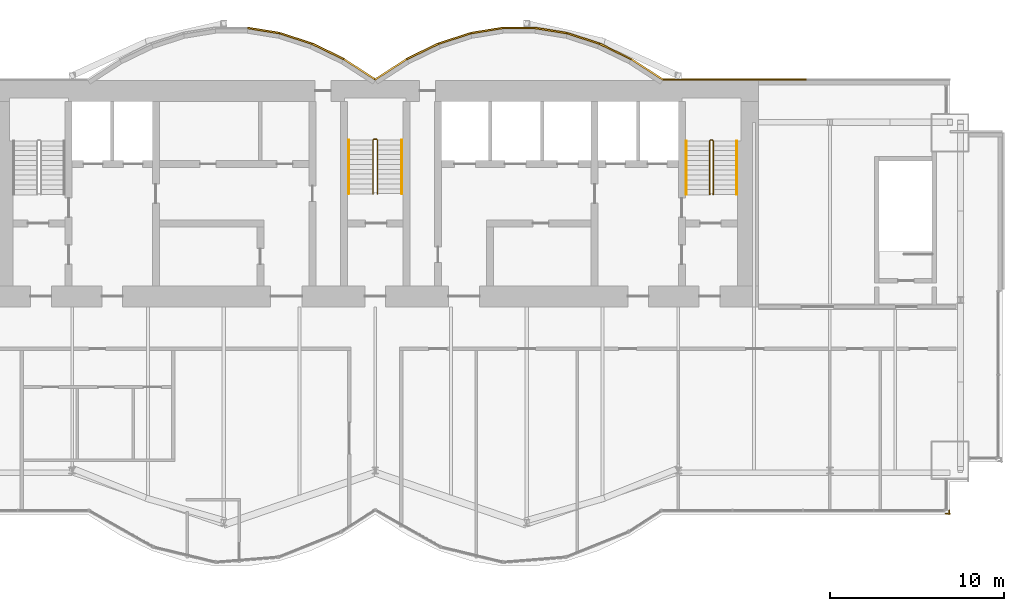
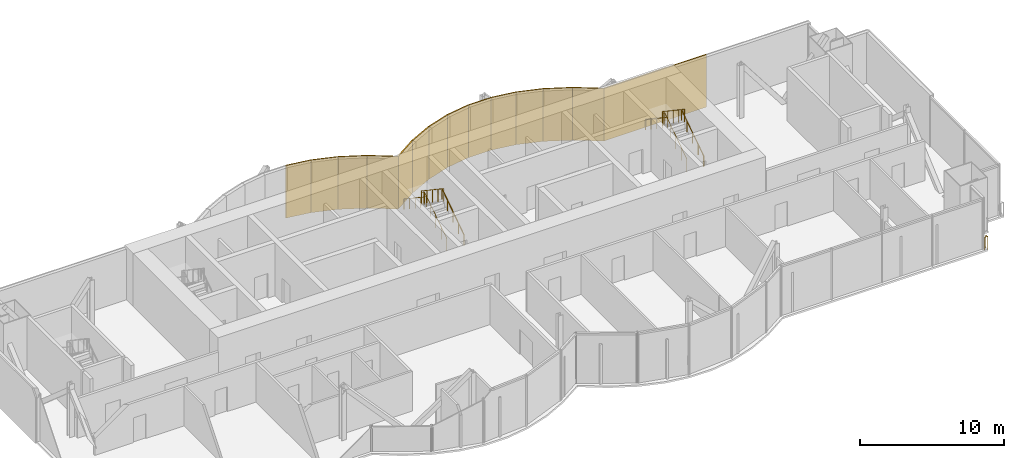
# One storey, part 15 of 16: 14 coverings, 7 railings.
"""IFC4 building model written with IfcOpenShell, lengths in metres."""

from ifc_helpers import new_model, si_unit, direction, frame, origin, origin_2d, place, context, subcontext, project, spatial, rectangle, circle, extrude, material, layer, layer_set, type_object, element, save


model = new_model("IFC4")

# Units and contexts
model_context = context("Model", 3, precision=1e-05, world=origin(), true_north=direction((0.0, 1.0)))
body_context = subcontext(model_context, "Body", "Model", "MODEL_VIEW")
ifc_project = project(units=[si_unit("LENGTHUNIT", "METRE"), si_unit("AREAUNIT", "SQUARE_METRE"), si_unit("VOLUMEUNIT", "CUBIC_METRE"), si_unit("PLANEANGLEUNIT", "RADIAN"), si_unit("MASSUNIT", "GRAM", prefix="KILO")], contexts=[model_context])

# Site, building, storey
site_placement = place(None, origin())
site = spatial("IfcSite", under=ifc_project, at=site_placement, CompositionType="ELEMENT")
building_placement = place(site_placement, origin())
building = spatial("IfcBuilding", under=site, at=building_placement, Name="Bicima Exchange Tower", CompositionType="ELEMENT")
storey_placement = place(building_placement, frame((0.0, 0.0, 338.0)))
storey = spatial("IfcBuildingStorey", under=building, at=storey_placement, Name="L76", CompositionType="ELEMENT", Elevation=338.0)

# Coverings
ifc_material_1 = material(Name="Bronze metal cladding")
ifc_layer_1 = layer(ifc_material_1, 0.004)
ifc_material_2 = material(Name="Ventilated cavity")
ifc_layer_2 = layer(ifc_material_2, 0.06)
ifc_material_3 = material(Name="Galvanised steel rail and mineral wool", Category="steel")
ifc_layer_3 = layer(ifc_material_3, 0.036)
ifc_layer_set = layer_set([ifc_layer_1, ifc_layer_2, ifc_layer_3], Name="Ventilated cavity")
covering_type = type_object("IfcCoveringType", Name="Bronze metal cladding panel 100", PredefinedType="CLADDING", material=ifc_layer_set)
covering_1_placement = place(storey_placement, frame((20.625, 0.050048828125, -0.14990234375), z_axis=(0.0, 0.0, 1.0), x_axis=(-1.0, 0.0, 0.0)))
element("IfcCovering", 1, at=covering_1_placement, inside=storey, type_object=covering_type, Name="Bronze cladding L76 1.2", PredefinedType="CLADDING", context=body_context, shape_type="SweptSolid", body=[
    extrude(rectangle(XDim=8.25, YDim=0.10009765625, at=origin_2d()), origin(), (0.0, 0.0, 1.0), 4.449951171875),
])
covering_2_placement = place(storey_placement, frame((15.610595703125, 0.634521484375, -0.14990234375), z_axis=(0.0, 0.0, 1.0), x_axis=(-0.839790466384, 0.542910648791, 0.0)))
element("IfcCovering", 2, at=covering_2_placement, inside=storey, type_object=covering_type, Name="Bronze cladding L76 2.1", PredefinedType="CLADDING", context=body_context, shape_type="SweptSolid", body=[
    extrude(rectangle(XDim=2.18310546875, YDim=0.10009765625, at=origin_2d()), origin(), (0.0, 0.0, 1.0), 4.449951171875),
])
covering_3_placement = place(storey_placement, frame((13.771728515625, 1.674560546875, -0.14990234375), z_axis=(0.0, 0.0, 1.0), x_axis=(-0.899818346812, 0.436264762204, 0.0)))
element("IfcCovering", 3, at=covering_3_placement, inside=storey, type_object=covering_type, Name="Bronze cladding L76 3.1", PredefinedType="CLADDING", context=body_context, shape_type="SweptSolid", body=[
    extrude(rectangle(XDim=2.03759765625, YDim=0.10009765625, at=origin_2d()), origin(), (0.0, 0.0, 1.0), 4.449951171875),
])
covering_4_placement = place(storey_placement, frame((11.931884765625, 2.41796875, -0.14990234375), z_axis=(0.0, 0.0, 1.0), x_axis=(-0.951524642381, 0.307572519808, 0.0)))
element("IfcCovering", 4, at=covering_4_placement, inside=storey, type_object=covering_type, Name="Bronze cladding L76 4.1", PredefinedType="CLADDING", context=body_context, shape_type="SweptSolid", body=[
    extrude(rectangle(XDim=1.9267578125, YDim=0.10009765625, at=origin_2d()), origin(), (0.0, 0.0, 1.0), 4.449951171875),
])
covering_5_placement = place(storey_placement, frame((10.09130859375, 2.8642578125, -0.14990234375), z_axis=(0.0, 0.0, 1.0), x_axis=(-0.987189786347, 0.159550386184, 0.0)))
element("IfcCovering", 5, at=covering_5_placement, inside=storey, type_object=covering_type, Name="Bronze cladding L76 5.1", PredefinedType="CLADDING", context=body_context, shape_type="SweptSolid", body=[
    extrude(rectangle(XDim=1.857177734375, YDim=0.10009765625, at=origin_2d()), origin(), (0.0, 0.0, 1.0), 4.449951171875),
])
covering_6_placement = place(storey_placement, frame((8.25, 3.012939453125, -0.14990234375), z_axis=(0.0, 0.0, 1.0), x_axis=(-1.0, 0.0, 0.0)))
element("IfcCovering", 6, at=covering_6_placement, inside=storey, type_object=covering_type, Name="Bronze cladding L76 6.1", PredefinedType="CLADDING", context=body_context, shape_type="SweptSolid", body=[
    extrude(rectangle(XDim=1.83349609375, YDim=0.10009765625, at=origin_2d()), origin(), (0.0, 0.0, 1.0), 4.449951171875),
])
covering_7_placement = place(storey_placement, frame((6.40869140625, 2.8642578125, -0.14990234375), z_axis=(0.0, 0.0, 1.0), x_axis=(-0.987189786347, -0.159550386184, 0.0)))
element("IfcCovering", 7, at=covering_7_placement, inside=storey, type_object=covering_type, Name="Bronze cladding L76 7.1", PredefinedType="CLADDING", context=body_context, shape_type="SweptSolid", body=[
    extrude(rectangle(XDim=1.857177734375, YDim=0.10009765625, at=origin_2d()), origin(), (0.0, 0.0, 1.0), 4.449951171875),
])
covering_8_placement = place(storey_placement, frame((4.568115234375, 2.41796875, -0.14990234375), z_axis=(0.0, 0.0, 1.0), x_axis=(-0.951524642381, -0.307572519808, 0.0)))
element("IfcCovering", 8, at=covering_8_placement, inside=storey, type_object=covering_type, Name="Bronze cladding L76 8.1", PredefinedType="CLADDING", context=body_context, shape_type="SweptSolid", body=[
    extrude(rectangle(XDim=1.9267578125, YDim=0.10009765625, at=origin_2d()), origin(), (0.0, 0.0, 1.0), 4.449951171875),
])
covering_9_placement = place(storey_placement, frame((2.728271484375, 1.674560546875, -0.14990234375), z_axis=(0.0, 0.0, 1.0), x_axis=(-0.899818346812, -0.436264762204, 0.0)))
element("IfcCovering", 9, at=covering_9_placement, inside=storey, type_object=covering_type, Name="Bronze cladding L76 9.1", PredefinedType="CLADDING", context=body_context, shape_type="SweptSolid", body=[
    extrude(rectangle(XDim=2.03759765625, YDim=0.10009765625, at=origin_2d()), origin(), (0.0, 0.0, 1.0), 4.449951171875),
])
for number, where, z_axis, x_axis, name in (
    (10, (0.889404296875, 0.634521484375, -0.14990234375), (0.0, 0.0, 1.0), (-0.839790466384, -0.542910648791, 0.0), "Bronze cladding L76 10.1"),
    (11, (-0.889404296875, 0.634521484375, -0.14990234375), (0.0, 0.0, 1.0), (-0.839790466384, 0.542910648791, 0.0), "Bronze cladding L76 11.1"),
):
    element("IfcCovering", number, at=place(storey_placement, frame(where, z_axis=z_axis, x_axis=x_axis)), inside=storey, type_object=covering_type, Name=name, PredefinedType="CLADDING", context=body_context, shape_type="SweptSolid", body=[
        extrude(rectangle(XDim=2.18310546875, YDim=0.10009765625, at=origin_2d()), origin(), (0.0, 0.0, 1.0), 4.449951171875),
    ])
covering_10_placement = place(storey_placement, frame((-2.728271484375, 1.674560546875, -0.14990234375), z_axis=(0.0, 0.0, 1.0), x_axis=(-0.899818346812, 0.436264762204, 0.0)))
element("IfcCovering", 12, at=covering_10_placement, inside=storey, type_object=covering_type, Name="Bronze cladding L76 12.1", PredefinedType="CLADDING", context=body_context, shape_type="SweptSolid", body=[
    extrude(rectangle(XDim=2.03759765625, YDim=0.10009765625, at=origin_2d()), origin(), (0.0, 0.0, 1.0), 4.449951171875),
])
covering_11_placement = place(storey_placement, frame((-4.568115234375, 2.41796875, -0.14990234375), z_axis=(0.0, 0.0, 1.0), x_axis=(-0.951524642381, 0.307572519808, 0.0)))
element("IfcCovering", 13, at=covering_11_placement, inside=storey, type_object=covering_type, Name="Bronze cladding L76 13.1", PredefinedType="CLADDING", context=body_context, shape_type="SweptSolid", body=[
    extrude(rectangle(XDim=1.9267578125, YDim=0.10009765625, at=origin_2d()), origin(), (0.0, 0.0, 1.0), 4.449951171875),
])
covering_12_placement = place(storey_placement, frame((-6.40869140625, 2.8642578125, -0.14990234375), z_axis=(0.0, 0.0, 1.0), x_axis=(-0.987189786347, 0.159550386184, 0.0)))
element("IfcCovering", 14, at=covering_12_placement, inside=storey, type_object=covering_type, Name="Bronze cladding L76 14.1", PredefinedType="CLADDING", context=body_context, shape_type="SweptSolid", body=[
    extrude(rectangle(XDim=1.857177734375, YDim=0.10009765625, at=origin_2d()), origin(), (0.0, 0.0, 1.0), 4.449951171875),
])

# Railings
ifc_material_4 = material(Name="Stainless steel and bonded safety glass", Category="steel")
railing_type_1 = type_object("IfcRailingType", Name="Edge guard 1100", PredefinedType="GUARDRAIL", material=ifc_material_4)
railing_1_placement = place(storey_placement, frame((32.949951171875, -24.68310546875, 0.0)))
element("IfcRailing", 15, at=railing_1_placement, inside=storey, type_object=railing_type_1, Name="Edge guard L76 400", PredefinedType="GUARDRAIL", context=body_context, shape_type="SweptSolid", body=[
    extrude(circle(Radius=0.02392578125, at=origin_2d()), frame((0.0, 0.0, 1.076171875), z_axis=(0.0, -1.0, 0.0), x_axis=(1.0, 0.0, 0.0)), (0.0, 0.0, 1.0), 0.23681640625),
    extrude(circle(Radius=0.02392578125, at=origin_2d()), frame((0.0, -0.23681640625, 1.076171875), z_axis=(0.708833529934, 0.705375805398, 0.0), x_axis=(-0.705375805398, 0.708833529934, 0.0)), (0.0, 0.0, 1.0), 0.070556640625),
    extrude(circle(Radius=0.02392578125, at=origin_2d()), frame((0.050048828125, -0.18701171875, 1.076171875), z_axis=(-1.0, 0.0, 0.0), x_axis=(0.0, -1.0, 0.0)), (0.0, 0.0, 1.0), 0.25),
    extrude(circle(Radius=0.02099609375, at=origin_2d()), origin(), (0.0, 0.0, 1.0), 1.052001953125),
    extrude(circle(Radius=0.02099609375, at=origin_2d()), frame((0.0, -0.23681640625, 0.0)), (0.0, 0.0, 1.0), 1.052001953125),
    extrude(circle(Radius=0.02099609375, at=origin_2d()), frame((0.050048828125, -0.18701171875, 0.0)), (0.0, 0.0, 1.0), 1.052001953125),
    extrude(circle(Radius=0.02099609375, at=origin_2d()), frame((-0.199951171875, -0.18701171875, 0.0)), (0.0, 0.0, 1.0), 1.052001953125),
])
ifc_material_5 = material(Name="Stainless steel", Category="steel")
railing_type_2 = type_object("IfcRailingType", Name="Stair guard 1100", PredefinedType="GUARDRAIL", material=ifc_material_5)
railing_2_placement = place(storey_placement, frame((0.125, -6.5, 0.1875)))
element("IfcRailing", 16, at=railing_2_placement, inside=storey, type_object=railing_type_2, Name="L76 ST-C stair guard 1", PredefinedType="GUARDRAIL", context=body_context, shape_type="SweptSolid", body=[
    extrude(circle(Radius=0.02392578125, at=origin_2d()), frame((0.0, 0.0, 1.076171875), z_axis=(0.0, 0.830913701846, 0.55640131208), x_axis=(-1.0, 0.0, 0.0)), (0.0, 0.0, 1.0), 3.706787109375),
    extrude(circle(Radius=0.02392578125, at=origin_2d()), frame((0.0, 3.080078125, 3.138671875), z_axis=(-0.708833529934, 0.705375805398, 0.0), x_axis=(-0.705375805398, -0.708833529934, 0.0)), (0.0, 0.0, 1.0), 0.070556640625),
    extrude(circle(Radius=0.02392578125, at=origin_2d()), frame((-0.050048828125, 3.1298828125, 3.138671875), z_axis=(-1.0, 0.0, 0.0), x_axis=(0.0, -1.0, 0.0)), (0.0, 0.0, 1.0), 0.14990234375),
    extrude(circle(Radius=0.02392578125, at=origin_2d()), frame((-0.199951171875, 3.1298828125, 3.138671875), z_axis=(-0.249802250048, -0.248583702486, 0.935844527007), x_axis=(0.705375805398, -0.708833529934, 0.0)), (0.0, 0.0, 1.0), 0.200439453125),
    extrude(circle(Radius=0.02392578125, at=origin_2d()), frame((-0.25, 3.080078125, 3.326171875), z_axis=(0.0, -0.830913701846, 0.55640131208), x_axis=(1.0, 0.0, 0.0)), (0.0, 0.0, 1.0), 3.706787109375),
    extrude(circle(Radius=0.02099609375, at=origin_2d()), origin(), (0.0, 0.0, 1.0), 1.052001953125),
    extrude(circle(Radius=0.02099609375, at=origin_2d()), frame((0.0, 0.77001953125, 0.515625)), (0.0, 0.0, 1.0), 1.052001953125),
    extrude(circle(Radius=0.02099609375, at=origin_2d()), frame((0.0, 1.5400390625, 1.03125)), (0.0, 0.0, 1.0), 1.052001953125),
    extrude(circle(Radius=0.02099609375, at=origin_2d()), frame((0.0, 2.31005859375, 1.546875)), (0.0, 0.0, 1.0), 1.052001953125),
    extrude(circle(Radius=0.02099609375, at=origin_2d()), frame((0.0, 3.080078125, 2.0625)), (0.0, 0.0, 1.0), 1.052001953125),
    extrude(circle(Radius=0.02099609375, at=origin_2d()), frame((-0.050048828125, 3.1298828125, 2.0625)), (0.0, 0.0, 1.0), 1.052001953125),
    extrude(circle(Radius=0.02099609375, at=origin_2d()), frame((-0.199951171875, 3.1298828125, 2.0625)), (0.0, 0.0, 1.0), 1.052001953125),
    extrude(circle(Radius=0.02099609375, at=origin_2d()), frame((-0.25, 3.080078125, 2.25)), (0.0, 0.0, 1.0), 1.052001953125),
    extrude(circle(Radius=0.02099609375, at=origin_2d()), frame((-0.25, 2.31005859375, 2.765625)), (0.0, 0.0, 1.0), 1.052001953125),
    extrude(circle(Radius=0.02099609375, at=origin_2d()), frame((-0.25, 1.5400390625, 3.28125)), (0.0, 0.0, 1.0), 1.052001953125),
    extrude(circle(Radius=0.02099609375, at=origin_2d()), frame((-0.25, 0.77001953125, 3.796875)), (0.0, 0.0, 1.0), 1.052001953125),
    extrude(circle(Radius=0.02099609375, at=origin_2d()), frame((-0.25, 0.0, 4.3125)), (0.0, 0.0, 1.0), 1.052001953125),
])
railing_3_placement = place(storey_placement, frame((19.39990234375, -6.550048828125, 0.1875)))
element("IfcRailing", 17, at=railing_3_placement, inside=storey, type_object=railing_type_2, Name="L76 ST-E stair guard 1", PredefinedType="GUARDRAIL", context=body_context, shape_type="SweptSolid", body=[
    extrude(circle(Radius=0.02392578125, at=origin_2d()), frame((0.0, 0.0, 1.076171875), z_axis=(0.0, 0.830913701846, 0.55640131208), x_axis=(-1.0, 0.0, 0.0)), (0.0, 0.0, 1.0), 3.706787109375),
    extrude(circle(Radius=0.02392578125, at=origin_2d()), frame((0.0, 3.080078125, 3.138671875), z_axis=(-0.705375805398, 0.708833529934, 0.0), x_axis=(-0.708833529934, -0.705375805398, 0.0)), (0.0, 0.0, 1.0), 0.070556640625),
    extrude(circle(Radius=0.02392578125, at=origin_2d()), frame((-0.0498046875, 3.130126953125, 3.138671875), z_axis=(-1.0, 0.0, 0.0), x_axis=(0.0, -1.0, 0.0)), (0.0, 0.0, 1.0), 0.10009765625),
    extrude(circle(Radius=0.02392578125, at=origin_2d()), frame((-0.14990234375, 3.130126953125, 3.138671875), z_axis=(-0.249726431254, -0.249726431254, 0.935560483917), x_axis=(0.707106781187, -0.707106781187, 0.0)), (0.0, 0.0, 1.0), 0.200439453125),
    extrude(circle(Radius=0.02392578125, at=origin_2d()), frame((-0.199951171875, 3.080078125, 3.326171875), z_axis=(0.0, -0.830913701846, 0.55640131208), x_axis=(1.0, 0.0, 0.0)), (0.0, 0.0, 1.0), 3.706787109375),
    extrude(circle(Radius=0.02099609375, at=origin_2d()), origin(), (0.0, 0.0, 1.0), 1.052001953125),
    extrude(circle(Radius=0.02099609375, at=origin_2d()), frame((0.0, 0.77001953125, 0.515625)), (0.0, 0.0, 1.0), 1.052001953125),
    extrude(circle(Radius=0.02099609375, at=origin_2d()), frame((0.0, 1.5400390625, 1.03125)), (0.0, 0.0, 1.0), 1.052001953125),
    extrude(circle(Radius=0.02099609375, at=origin_2d()), frame((0.0, 2.31005859375, 1.546875)), (0.0, 0.0, 1.0), 1.052001953125),
    extrude(circle(Radius=0.02099609375, at=origin_2d()), frame((0.0, 3.080078125, 2.0625)), (0.0, 0.0, 1.0), 1.052001953125),
    extrude(circle(Radius=0.02099609375, at=origin_2d()), frame((-0.0498046875, 3.130126953125, 2.0625)), (0.0, 0.0, 1.0), 1.052001953125),
    extrude(circle(Radius=0.02099609375, at=origin_2d()), frame((-0.14990234375, 3.130126953125, 2.0625)), (0.0, 0.0, 1.0), 1.052001953125),
    extrude(circle(Radius=0.02099609375, at=origin_2d()), frame((-0.199951171875, 3.080078125, 2.25)), (0.0, 0.0, 1.0), 1.052001953125),
    extrude(circle(Radius=0.02099609375, at=origin_2d()), frame((-0.199951171875, 2.31005859375, 2.765625)), (0.0, 0.0, 1.0), 1.052001953125),
    extrude(circle(Radius=0.02099609375, at=origin_2d()), frame((-0.199951171875, 1.5400390625, 3.28125)), (0.0, 0.0, 1.0), 1.052001953125),
    extrude(circle(Radius=0.02099609375, at=origin_2d()), frame((-0.199951171875, 0.77001953125, 3.796875)), (0.0, 0.0, 1.0), 1.052001953125),
    extrude(circle(Radius=0.02099609375, at=origin_2d()), frame((-0.199951171875, 0.0, 4.3125)), (0.0, 0.0, 1.0), 1.052001953125),
])
railing_type_3 = type_object("IfcRailingType", Name="Stair handrail 900", PredefinedType="HANDRAIL", material=ifc_material_5)
railing_4_placement = place(storey_placement, frame((1.52490234375, -6.5, 0.1875)))
element("IfcRailing", 18, at=railing_4_placement, inside=storey, type_object=railing_type_3, Name="L76 ST-C stair handrail 1", PredefinedType="HANDRAIL", context=body_context, shape_type="SweptSolid", body=[
    extrude(circle(Radius=0.02392578125, at=origin_2d()), frame((0.0, 0.0, 0.8759765625), z_axis=(0.0, 0.830913701846, 0.55640131208), x_axis=(-1.0, 0.0, 0.0)), (0.0, 0.0, 1.0), 3.706787109375),
    extrude(circle(Radius=0.02099609375, at=origin_2d()), origin(), (0.0, 0.0, 1.0), 0.851806640625),
    extrude(circle(Radius=0.02099609375, at=origin_2d()), frame((0.0, 0.77001953125, 0.515625)), (0.0, 0.0, 1.0), 0.851806640625),
    extrude(circle(Radius=0.02099609375, at=origin_2d()), frame((0.0, 1.5400390625, 1.03125)), (0.0, 0.0, 1.0), 0.851806640625),
    extrude(circle(Radius=0.02099609375, at=origin_2d()), frame((0.0, 2.31005859375, 1.546875)), (0.0, 0.0, 1.0), 0.851806640625),
    extrude(circle(Radius=0.02099609375, at=origin_2d()), frame((0.0, 3.080078125, 2.0625)), (0.0, 0.0, 1.0), 0.851806640625),
])
railing_5_placement = place(storey_placement, frame((-1.52490234375, -3.419921875, 2.4375)))
element("IfcRailing", 19, at=railing_5_placement, inside=storey, type_object=railing_type_3, Name="L76 ST-C stair handrail 2", PredefinedType="HANDRAIL", context=body_context, shape_type="SweptSolid", body=[
    extrude(circle(Radius=0.02392578125, at=origin_2d()), frame((0.0, 0.0, 0.8759765625), z_axis=(0.0, -0.830913701846, 0.55640131208), x_axis=(1.0, 0.0, 0.0)), (0.0, 0.0, 1.0), 3.706787109375),
    extrude(circle(Radius=0.02099609375, at=origin_2d()), origin(), (0.0, 0.0, 1.0), 0.851806640625),
    extrude(circle(Radius=0.02099609375, at=origin_2d()), frame((0.0, -0.77001953125, 0.515625)), (0.0, 0.0, 1.0), 0.851806640625),
    extrude(circle(Radius=0.02099609375, at=origin_2d()), frame((0.0, -1.5400390625, 1.03125)), (0.0, 0.0, 1.0), 0.851806640625),
    extrude(circle(Radius=0.02099609375, at=origin_2d()), frame((0.0, -2.31005859375, 1.546875)), (0.0, 0.0, 1.0), 0.851806640625),
    extrude(circle(Radius=0.02099609375, at=origin_2d()), frame((0.0, -3.080078125, 2.0625)), (0.0, 0.0, 1.0), 0.851806640625),
])
railing_6_placement = place(storey_placement, frame((20.75, -6.550048828125, 0.1875)))
element("IfcRailing", 20, at=railing_6_placement, inside=storey, type_object=railing_type_3, Name="L76 ST-E stair handrail 1", PredefinedType="HANDRAIL", context=body_context, shape_type="SweptSolid", body=[
    extrude(circle(Radius=0.02392578125, at=origin_2d()), frame((0.0, 0.0, 0.8759765625), z_axis=(0.0, 0.830913701846, 0.55640131208), x_axis=(-1.0, 0.0, 0.0)), (0.0, 0.0, 1.0), 3.706787109375),
    extrude(circle(Radius=0.02099609375, at=origin_2d()), origin(), (0.0, 0.0, 1.0), 0.851806640625),
    extrude(circle(Radius=0.02099609375, at=origin_2d()), frame((0.0, 0.77001953125, 0.515625)), (0.0, 0.0, 1.0), 0.851806640625),
    extrude(circle(Radius=0.02099609375, at=origin_2d()), frame((0.0, 1.5400390625, 1.03125)), (0.0, 0.0, 1.0), 0.851806640625),
    extrude(circle(Radius=0.02099609375, at=origin_2d()), frame((0.0, 2.31005859375, 1.546875)), (0.0, 0.0, 1.0), 0.851806640625),
    extrude(circle(Radius=0.02099609375, at=origin_2d()), frame((0.0, 3.080078125, 2.0625)), (0.0, 0.0, 1.0), 0.851806640625),
])
railing_7_placement = place(storey_placement, frame((17.85009765625, -3.469970703125, 2.4375)))
element("IfcRailing", 21, at=railing_7_placement, inside=storey, type_object=railing_type_3, Name="L76 ST-E stair handrail 2", PredefinedType="HANDRAIL", context=body_context, shape_type="SweptSolid", body=[
    extrude(circle(Radius=0.02392578125, at=origin_2d()), frame((0.0, 0.0, 0.8759765625), z_axis=(0.0, -0.830913701846, 0.55640131208), x_axis=(1.0, 0.0, 0.0)), (0.0, 0.0, 1.0), 3.706787109375),
    extrude(circle(Radius=0.02099609375, at=origin_2d()), origin(), (0.0, 0.0, 1.0), 0.851806640625),
    extrude(circle(Radius=0.02099609375, at=origin_2d()), frame((0.0, -0.77001953125, 0.515625)), (0.0, 0.0, 1.0), 0.851806640625),
    extrude(circle(Radius=0.02099609375, at=origin_2d()), frame((0.0, -1.5400390625, 1.03125)), (0.0, 0.0, 1.0), 0.851806640625),
    extrude(circle(Radius=0.02099609375, at=origin_2d()), frame((0.0, -2.31005859375, 1.546875)), (0.0, 0.0, 1.0), 0.851806640625),
    extrude(circle(Radius=0.02099609375, at=origin_2d()), frame((0.0, -3.080078125, 2.0625)), (0.0, 0.0, 1.0), 0.851806640625),
])

save(model, "model.ifc")
